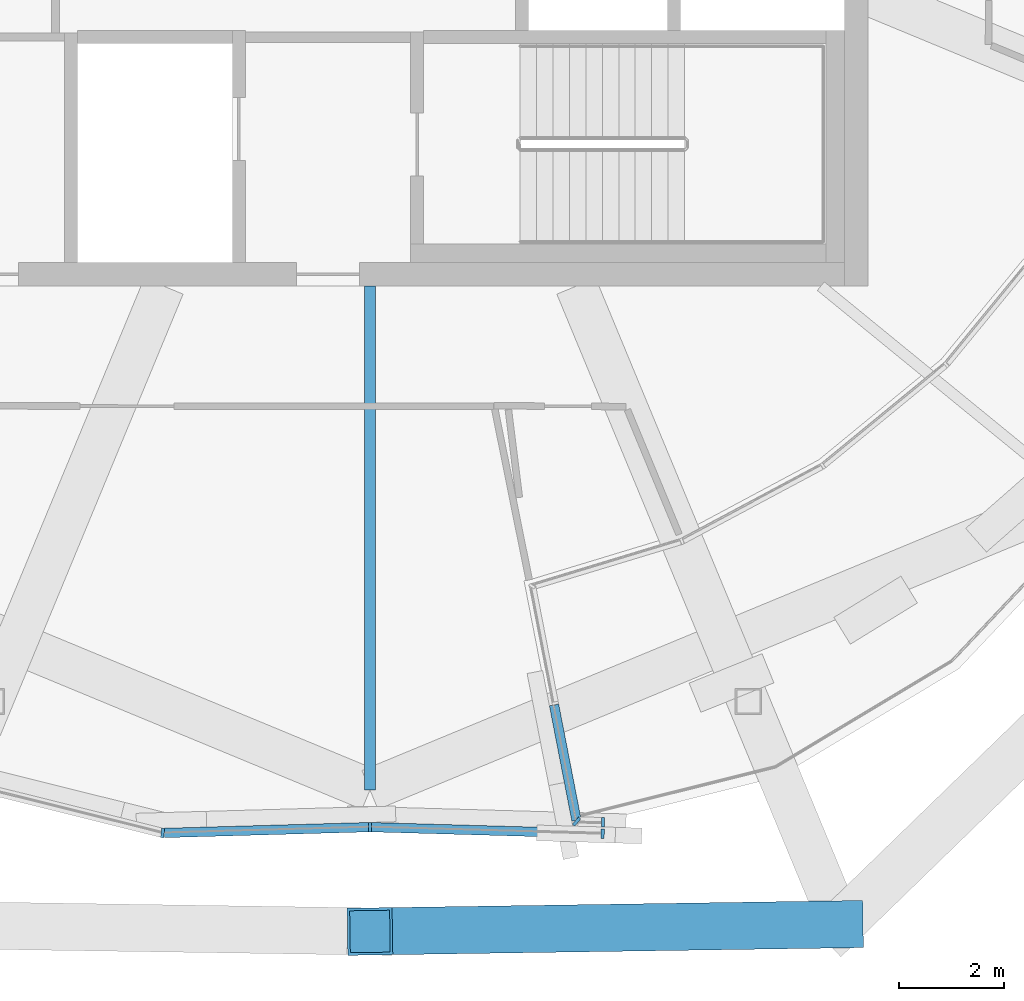
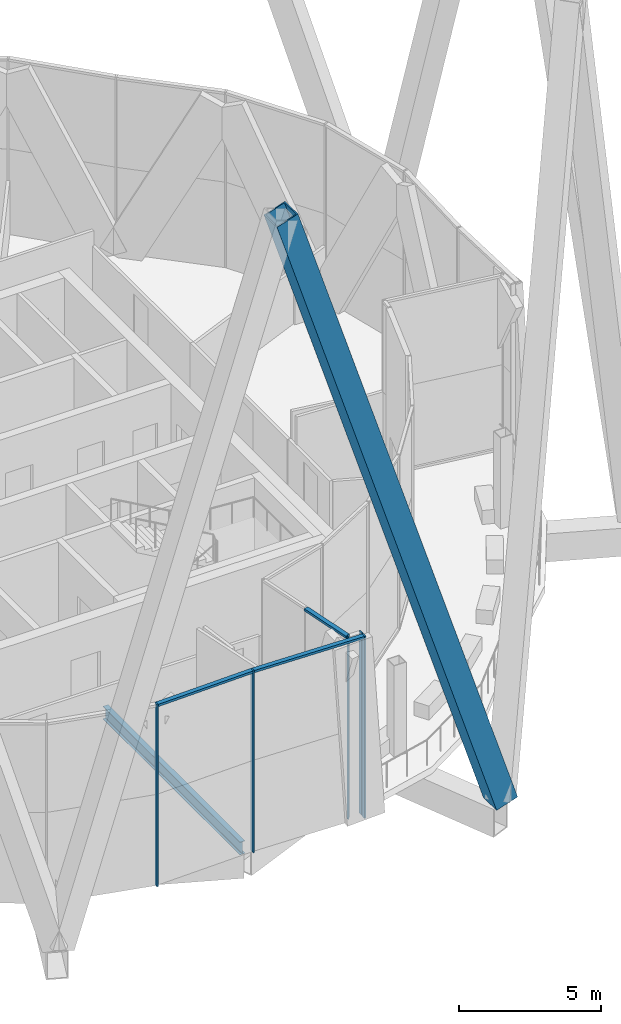
# One storey, part 6 of 53: 9 members, 1 beam, 3 elements without a shape of their own.
"""IFC4 building model written with IfcOpenShell, lengths in metres."""

from ifc_helpers import new_model, si_unit, direction, frame, origin, origin_2d, place, context, subcontext, project, spatial, rectangle, hollow_rectangle, i_section, extrude, material, material_profile, profile_set, type_object, element, aggregate, save


model = new_model("IFC4")

# Units and contexts
model_context = context("Model", 3, precision=1e-05, world=origin(), true_north=direction((0.0, 1.0)))
body_context = subcontext(model_context, "Body", "Model", "MODEL_VIEW")
ifc_project = project(units=[si_unit("LENGTHUNIT", "METRE"), si_unit("AREAUNIT", "SQUARE_METRE"), si_unit("VOLUMEUNIT", "CUBIC_METRE"), si_unit("PLANEANGLEUNIT", "RADIAN"), si_unit("MASSUNIT", "GRAM", prefix="KILO")], contexts=[model_context])

# Site, building, storey
site_placement = place(None, origin())
site = spatial("IfcSite", under=ifc_project, at=site_placement, CompositionType="ELEMENT")
building_placement = place(site_placement, origin())
building = spatial("IfcBuilding", under=site, at=building_placement, Name="Ogive Gate Towers", CompositionType="ELEMENT")
storey_placement = place(building_placement, frame((0.0, 0.0, 240.60009765625)))
storey = spatial("IfcBuildingStorey", under=building, at=storey_placement, Name="L57", CompositionType="ELEMENT", Elevation=240.60009765625)

# Member
ifc_material_1 = material(Name="Steel SM460", Category="steel")
ifc_material_profile_1 = material_profile(ifc_material_1, hollow_rectangle(XDim=0.89990234375, YDim=0.89990234375, WallThickness=0.050048828125, at=origin_2d()), Name="BX 900x900x50")
ifc_profile_set_1 = profile_set([ifc_material_profile_1], Name="Steel SM460")
member_type_1 = type_object("IfcMemberType", Name="Diagrid diagonal BX 900x900x50", PredefinedType="BRACE", material=ifc_profile_set_1)
member_1_placement = place(storey_placement, frame((-27.022216796875, -21.67431640625, 0.0), z_axis=(-0.303356073086, -0.00458667981, 0.952866231582), x_axis=(0.015118061019, -0.999885715585, 0.0)))
element("IfcMember", 1, at=member_1_placement, inside=storey, type_object=member_type_1, Name="T1/L57/SDG013", PredefinedType="BRACE", context=body_context, shape_type="SweptSolid", body=[
    extrude(hollow_rectangle(XDim=0.89990234375, YDim=0.89990234375, WallThickness=0.050048828125, at=origin_2d()), origin(), (0.0, 0.0, 1.0), 29.594970703125),
])

# Beam
ifc_material_2 = material(Name="Steel SM355", Category="steel")
ifc_material_profile_2 = material_profile(ifc_material_2, i_section(OverallWidth=0.2099609375, OverallDepth=0.550048828125, WebThickness=0.010986328125, FlangeThickness=0.01708984375, FilletRadius=0.02392578125, at=origin_2d()), Name="IPE 550")
ifc_profile_set_2 = profile_set([ifc_material_profile_2], Name="Steel SM355")
beam_type = type_object("IfcBeamType", Name="Radial floor beam IPE 550", PredefinedType="BEAM", material=ifc_profile_set_2)
beam_placement = place(storey_placement, frame((-36.0, -9.5, -0.5751953125), z_axis=(0.0, -1.0, 0.0), x_axis=(1.0, 0.0, 0.0)))
element("IfcBeam", 2, at=beam_placement, inside=storey, type_object=beam_type, Name="T1/L57/SBM003", PredefinedType="BEAM", context=body_context, shape_type="SweptSolid", body=[
    extrude(i_section(OverallWidth=0.2099609375, OverallDepth=0.550048828125, WebThickness=0.010986328125, FlangeThickness=0.01708984375, FilletRadius=0.02392578125, at=origin_2d()), origin(), (0.0, 0.0, 1.0), 9.610107421875),
])

# Curtain wall, members
ifc_material_3 = material(Name="Pale metal aluminium", Category="aluminium")
curtain_wall_type = type_object("IfcCurtainWallType", Name="Tower unitised wall, high zone", PredefinedType="NOTDEFINED", material=ifc_material_3)
curtain_wall_1_placement = place(storey_placement, origin())
curtain_wall_1 = element("IfcCurtainWall", 3, at=curtain_wall_1_placement, inside=storey, type_object=curtain_wall_type, Name="CW2 T1 ECW08", PredefinedType="NOTDEFINED")
ifc_material_profile_3 = material_profile(ifc_material_3, rectangle(XDim=0.179931640625, YDim=0.06005859375, at=origin_2d()), Name="60 x 180 aluminium box")
ifc_profile_set_3 = profile_set([ifc_material_profile_3], Name="Pale metal aluminium")
member_type_2 = type_object("IfcMemberType", Name="Tower unitised wall, high zone mullion 60 x 180", PredefinedType="MULLION", material=ifc_profile_set_3)
member_2_placement = place(storey_placement, frame((-35.999755859375, -19.820068359375, -0.300048828125), z_axis=(0.0, 0.0, 1.0), x_axis=(-0.028322905681, 0.999598826037, 0.0)))
member_2 = element("IfcMember", 4, at=member_2_placement, type_object=member_type_2, Name="CW2 mullion", PredefinedType="MULLION", context=body_context, shape_type="SweptSolid", body=[
    extrude(rectangle(XDim=0.179931640625, YDim=0.06005859375, at=origin_2d()), origin(), (0.0, 0.0, 1.0), 7.800048828125),
])
member_3_placement = place(storey_placement, frame((-39.954833984375, -19.931884765625, -0.300048828125), z_axis=(0.0, 0.0, 1.0), x_axis=(0.107912599257, 0.994160384909, 0.0)))
member_3 = element("IfcMember", 5, at=member_3_placement, type_object=member_type_2, Name="CW2 mullion", PredefinedType="MULLION", context=body_context, shape_type="SweptSolid", body=[
    extrude(rectangle(XDim=0.179931640625, YDim=0.06005859375, at=origin_2d()), origin(), (0.0, 0.0, 1.0), 7.800048828125),
])

curtain_wall_2_placement = place(storey_placement, origin())
curtain_wall_2 = element("IfcCurtainWall", 6, at=curtain_wall_2_placement, inside=storey, type_object=curtain_wall_type, Name="CW2 T1 ECW09", PredefinedType="NOTDEFINED")
member_4_placement = place(storey_placement, frame((-32.05810546875, -19.7138671875, -0.300048828125), z_axis=(0.0, 0.0, 1.0), x_axis=(-0.646989423445, -0.762498974393, 0.0)))
member_4 = element("IfcMember", 7, at=member_4_placement, type_object=member_type_2, Name="CW2 mullion", PredefinedType="MULLION", context=body_context, shape_type="SweptSolid", body=[
    extrude(rectangle(XDim=0.179931640625, YDim=0.06005859375, at=origin_2d()), origin(), (0.0, 0.0, 1.0), 7.800048828125),
])
member_5_placement = place(storey_placement, frame((-31.55419921875, -19.725830078125, -0.300048828125), z_axis=(0.0, 0.0, 1.0), x_axis=(-0.028410137027, -0.999596350591, 0.0)))
member_5 = element("IfcMember", 8, at=member_5_placement, type_object=member_type_2, Name="CW2 mullion", PredefinedType="MULLION", context=body_context, shape_type="SweptSolid", body=[
    extrude(rectangle(XDim=0.179931640625, YDim=0.06005859375, at=origin_2d()), origin(), (0.0, 0.0, 1.0), 7.800048828125),
])

# Curtain wall, member
curtain_wall_3_placement = place(storey_placement, origin())
curtain_wall_3 = element("IfcCurtainWall", 9, at=curtain_wall_3_placement, inside=storey, type_object=curtain_wall_type, Name="CW2 T1 ECW09b", PredefinedType="NOTDEFINED")
member_6_placement = place(storey_placement, frame((-31.560546875, -19.94580078125, -0.300048828125), z_axis=(0.0, 0.0, 1.0), x_axis=(0.028322905681, 0.999598826037, 0.0)))
member_6 = element("IfcMember", 10, at=member_6_placement, type_object=member_type_2, Name="CW2 mullion", PredefinedType="MULLION", context=body_context, shape_type="SweptSolid", body=[
    extrude(rectangle(XDim=0.179931640625, YDim=0.06005859375, at=origin_2d()), origin(), (0.0, 0.0, 1.0), 7.800048828125),
])

# Member
ifc_material_profile_4 = material_profile(ifc_material_3, rectangle(XDim=0.179931640625, YDim=0.10009765625, at=origin_2d()), Name="100 x 180 aluminium box")
ifc_profile_set_4 = profile_set([ifc_material_profile_4], Name="Pale metal aluminium")
member_type_3 = type_object("IfcMemberType", Name="Tower unitised wall, high zone transom 100 x 180", PredefinedType="USERDEFINED", material=ifc_profile_set_4)
member_7_placement = place(storey_placement, frame((-36.02978515625, -19.82080078125, 7.449951171875), z_axis=(-0.999598604155, -0.028330735458, 0.0), x_axis=(0.028330735458, -0.999598604155, 0.0)))
member_7 = element("IfcMember", 11, at=member_7_placement, type_object=member_type_3, Name="CW2 transom", ObjectType="TRANSOM", PredefinedType="USERDEFINED", context=body_context, shape_type="SweptSolid", body=[
    extrude(rectangle(XDim=0.179931640625, YDim=0.10009765625, at=origin_2d()), origin(), (0.0, 0.0, 1.0), 3.89501953125),
])

aggregate(curtain_wall_1, [member_2, member_3, member_7])

member_8_placement = place(storey_placement, frame((-32.48828125, -17.48974609375, 7.449951171875), z_axis=(0.190834673758, -0.981622191727, 0.0), x_axis=(0.981622191727, 0.190834673758, 0.0)))
member_8 = element("IfcMember", 12, at=member_8_placement, type_object=member_type_3, Name="CW2 transom", ObjectType="TRANSOM", PredefinedType="USERDEFINED", context=body_context, shape_type="SweptSolid", body=[
    extrude(rectangle(XDim=0.179931640625, YDim=0.10009765625, at=origin_2d()), origin(), (0.0, 0.0, 1.0), 2.241455078125),
])

aggregate(curtain_wall_2, [member_4, member_8, member_5])

member_9_placement = place(storey_placement, frame((-31.590576171875, -19.94482421875, 7.449951171875), z_axis=(-0.999599281066, 0.028306841785, 0.0), x_axis=(-0.028306841785, -0.999599281066, 0.0)))
member_9 = element("IfcMember", 13, at=member_9_placement, type_object=member_type_3, Name="CW2 transom", ObjectType="TRANSOM", PredefinedType="USERDEFINED", context=body_context, shape_type="SweptSolid", body=[
    extrude(rectangle(XDim=0.179931640625, YDim=0.10009765625, at=origin_2d()), origin(), (0.0, 0.0, 1.0), 4.38134765625),
])

aggregate(curtain_wall_3, [member_6, member_9])

save(model, "model.ifc")
